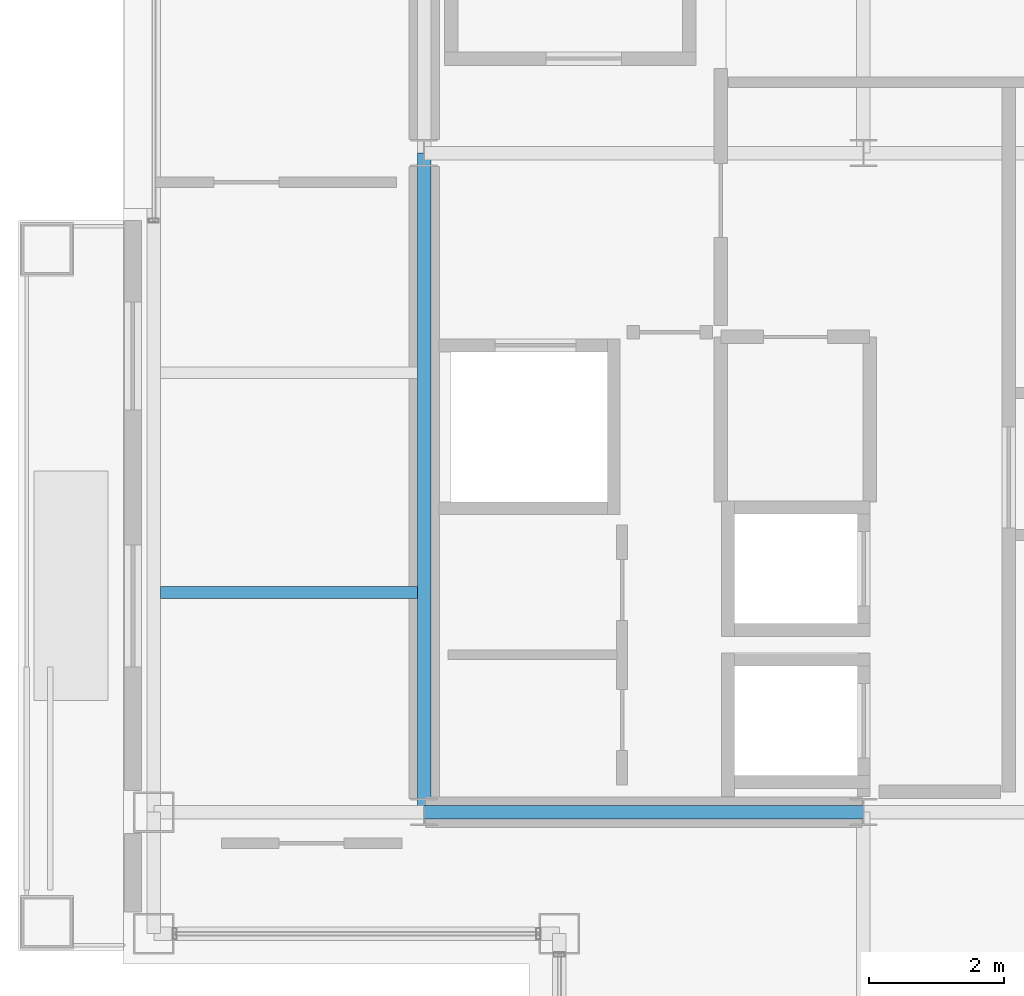
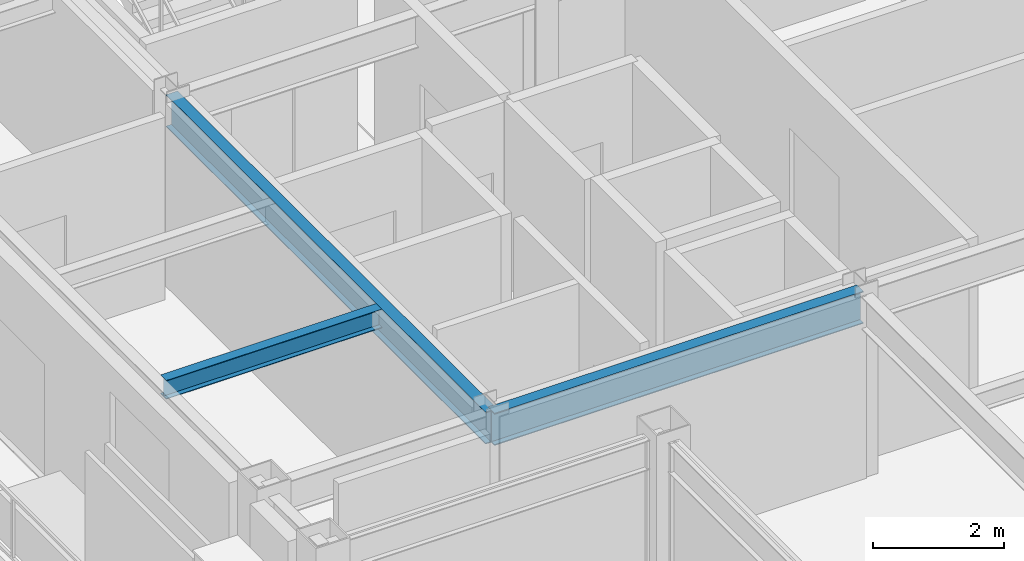
# One storey, part 4 of 24: 3 beams.
"""IFC4 building model written with IfcOpenShell, lengths in metres."""

from ifc_helpers import new_model, si_unit, direction, frame, origin, origin_2d, place, context, subcontext, project, spatial, i_section, extrude, material, material_profile, profile_set, type_object, element, save


model = new_model("IFC4")

# Units and contexts
model_context = context("Model", 3, precision=1e-05, world=origin(), true_north=direction((0.0, 1.0)))
body_context = subcontext(model_context, "Body", "Model", "MODEL_VIEW")
ifc_project = project(units=[si_unit("LENGTHUNIT", "METRE"), si_unit("AREAUNIT", "SQUARE_METRE"), si_unit("VOLUMEUNIT", "CUBIC_METRE"), si_unit("PLANEANGLEUNIT", "RADIAN"), si_unit("MASSUNIT", "GRAM", prefix="KILO")], contexts=[model_context])

# Site, building, storey
site_placement = place(None, origin())
site = spatial("IfcSite", under=ifc_project, at=site_placement, CompositionType="ELEMENT")
building_placement = place(site_placement, origin())
building = spatial("IfcBuilding", under=site, at=building_placement, Name="Brelmoor Portico Tower", CompositionType="ELEMENT")
storey_placement = place(building_placement, frame((0.0, 0.0, 254.39990234375)))
storey = spatial("IfcBuildingStorey", under=building, at=storey_placement, Name="L67", CompositionType="ELEMENT", Elevation=254.39990234375)

# Beams
ifc_material = material(Name="Steel Q355B", Category="steel")
ifc_material_profile_1 = material_profile(ifc_material, i_section(OverallWidth=0.175048828125, OverallDepth=0.35009765625, WebThickness=0.007080078125, FlangeThickness=0.010986328125, at=origin_2d()), Name="HN 350x175x7x11")
ifc_profile_set_1 = profile_set([ifc_material_profile_1], Name="Steel Q355B")
beam_type_1 = type_object("IfcBeamType", Name="BM-JS-350", PredefinedType="JOIST", material=ifc_profile_set_1)
beam_1_placement = place(storey_placement, frame((-18.449951171875, -6.5, 3.22509765625), z_axis=(1.0, 0.0, 0.0), x_axis=(0.0, 1.0, 0.0)))
element("IfcBeam", 1, at=beam_1_placement, inside=storey, type_object=beam_type_1, Name="L67 Secondary Wing Joist JS-W07", PredefinedType="JOIST", context=body_context, shape_type="SweptSolid", body=[
    extrude(i_section(OverallWidth=0.175048828125, OverallDepth=0.35009765625, WebThickness=0.007080078125, FlangeThickness=0.010986328125, at=origin_2d()), origin(), (0.0, 0.0, 1.0), 3.800048828125),
])
ifc_material_profile_2 = material_profile(ifc_material, i_section(OverallWidth=0.199951171875, OverallDepth=0.60009765625, WebThickness=0.010986328125, FlangeThickness=0.01708984375, at=origin_2d()), Name="HN 600x200x11x17")
ifc_profile_set_2 = profile_set([ifc_material_profile_2], Name="Steel Q355B")
beam_type_2 = type_object("IfcBeamType", Name="BM-PG-600", PredefinedType="BEAM", material=ifc_profile_set_2)
beam_2_placement = place(storey_placement, frame((-14.550048828125, -9.75, 3.10009765625), z_axis=(0.0, 1.0, 0.0), x_axis=(-1.0, 0.0, 0.0)))
element("IfcBeam", 2, at=beam_2_placement, inside=storey, type_object=beam_type_2, Name="L67 Primary Floor Girder PG-01", PredefinedType="BEAM", context=body_context, shape_type="SweptSolid", body=[
    extrude(i_section(OverallWidth=0.199951171875, OverallDepth=0.60009765625, WebThickness=0.010986328125, FlangeThickness=0.01708984375, at=origin_2d()), origin(), (0.0, 0.0, 1.0), 9.75),
])
beam_3_placement = place(storey_placement, frame((-14.550048828125, -9.75, 3.10009765625), z_axis=(1.0, 0.0, 0.0), x_axis=(0.0, 1.0, 0.0)))
element("IfcBeam", 3, at=beam_3_placement, inside=storey, type_object=beam_type_2, Name="L67 Primary Floor Girder PG-12", PredefinedType="BEAM", context=body_context, shape_type="SweptSolid", body=[
    extrude(i_section(OverallWidth=0.199951171875, OverallDepth=0.60009765625, WebThickness=0.010986328125, FlangeThickness=0.01708984375, at=origin_2d()), origin(), (0.0, 0.0, 1.0), 6.5),
])

save(model, "model.ifc")
